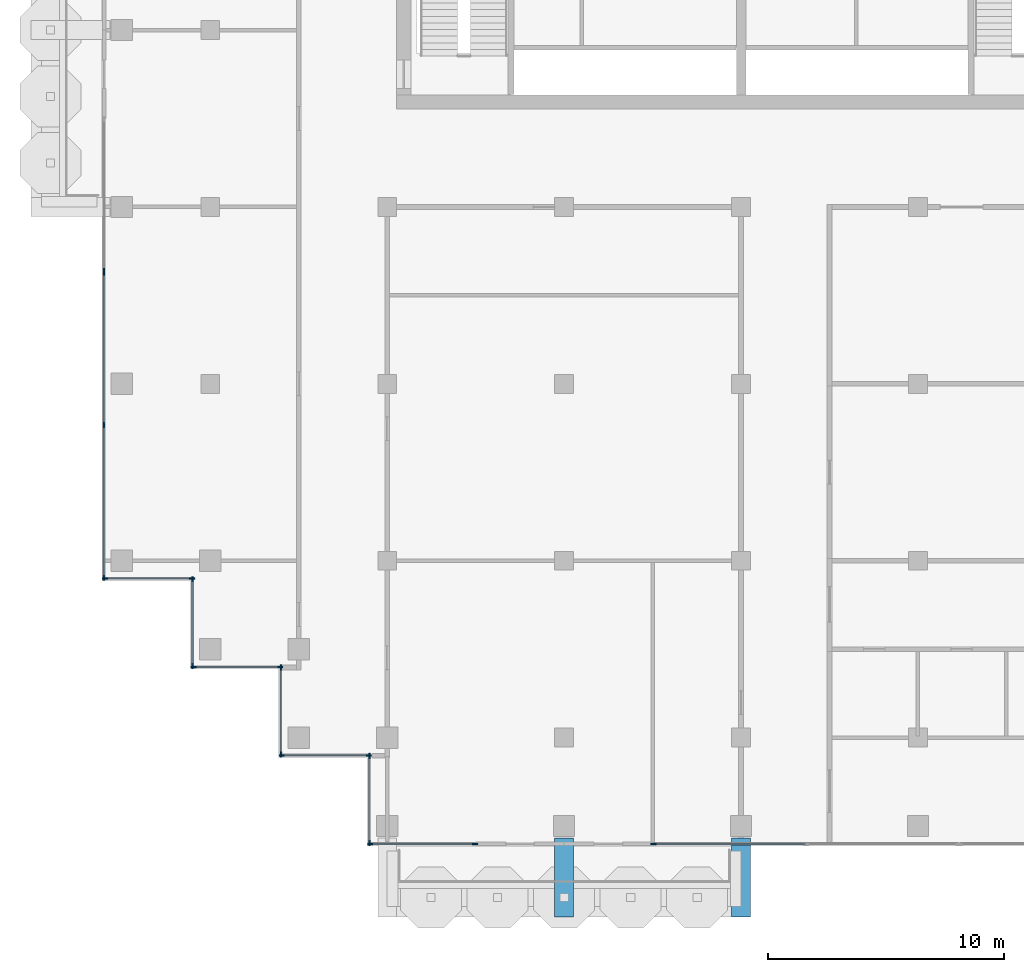
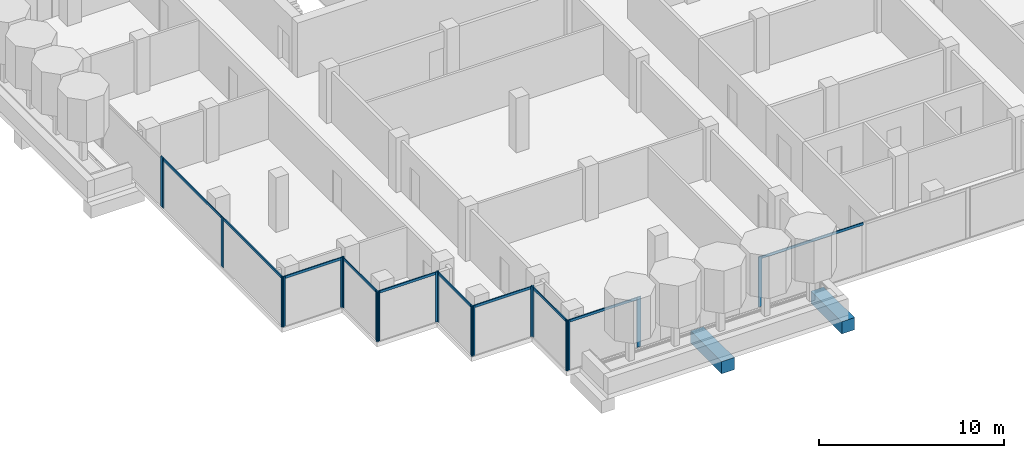
# One storey, part 2 of 18: 29 members, 2 beams, 10 elements without a shape of their own.
"""IFC4 building model written with IfcOpenShell, lengths in metres."""

import ifcopenshell
import ifcopenshell.guid

model = None  # the IFC model being written
_history = None  # IfcOwnerHistory: only IFC2X3 demands one
_inside = {}  # id of a spatial element -> (the spatial element, [elements in it])
_under = {}  # id of a project, library or spatial element -> (it, [spatial elements below it])
_declared = {}  # id of a project -> (the project, [libraries it declares])
_typed = {}  # id of a type object -> (the type object, [elements of that type])
_made_of = {}  # id of a material, layer set ... -> (it, [elements and type objects made of it])


def new_model(schema):
    """Start an empty IFC model of exactly this schema.

    Asked for "IFC4X3", IfcOpenShell would pick the latest addendum, in which some entities
    have other attributes; the version numbers below select the first issue.
    IFC2X3 requires an IfcOwnerHistory on every rooted entity: one is made here for all.
    """
    global model, _history
    if schema == "IFC4X3":
        model = ifcopenshell.file(schema_version=(4, 3, 0, 0))
    else:
        model = ifcopenshell.file(schema=schema)
    _inside.clear()
    _under.clear()
    _declared.clear()
    _typed.clear()
    _made_of.clear()
    _history = None
    if model.schema == "IFC2X3":
        org = make("IfcOrganization", Name="unknown")
        user = make(
            "IfcPersonAndOrganization",
            ThePerson=make("IfcPerson", FamilyName="unknown"),
            TheOrganization=org,
        )
        app = make(
            "IfcApplication",
            ApplicationDeveloper=org,
            Version="unknown",
            ApplicationFullName="unknown",
            ApplicationIdentifier="unknown",
        )
        _history = make(
            "IfcOwnerHistory",
            OwningUser=user,
            OwningApplication=app,
            ChangeAction="ADDED",
            CreationDate=0,
        )
    return model


def make(cls, **values):
    """One entity of the class cls with the attributes given. An attribute that is None is left unset."""
    return model.create_entity(
        cls, **{name: value for name, value in values.items() if value is not None}
    )


def rooted(cls, **values):
    """An entity with a GlobalId (a new one), such as an element, a storey or a relation."""
    return make(cls, GlobalId=ifcopenshell.guid.new(), OwnerHistory=_history, **values)


def si_unit(unit_type, name, prefix=None):
    """IfcSIUnit, for example si_unit("LENGTHUNIT", "METRE", prefix="MILLI")."""
    return make("IfcSIUnit", UnitType=unit_type, Prefix=prefix, Name=name)


def assignment(units):
    """IfcUnitAssignment: the units of a project."""
    return None if units is None else make("IfcUnitAssignment", Units=units)


def point(xyz):
    """IfcCartesianPoint."""
    return None if xyz is None else make("IfcCartesianPoint", Coordinates=xyz)


def direction(xyz):
    """IfcDirection."""
    return None if xyz is None else make("IfcDirection", DirectionRatios=xyz)


def frame(location, z_axis=None, x_axis=None):
    """IfcAxis2Placement3D, a coordinate frame: its origin and axes. An axis left out is left unset."""
    return make(
        "IfcAxis2Placement3D",
        Location=point(location),
        Axis=direction(z_axis),
        RefDirection=direction(x_axis),
    )


def frame_2d(location, x_axis=None):
    """IfcAxis2Placement2D, a coordinate frame in the plane: its origin and x axis."""
    return make(
        "IfcAxis2Placement2D", Location=point(location), RefDirection=direction(x_axis)
    )


def origin():
    """The frame at (0, 0, 0) with its axes left unset."""
    return frame((0.0, 0.0, 0.0))


def origin_2d():
    """The frame at (0, 0) in the plane with its x axis left unset."""
    return frame_2d((0.0, 0.0))


def place(relative_to, where):
    """IfcLocalPlacement: puts the frame where relative to a parent placement (None: the world)."""
    return make(
        "IfcLocalPlacement", PlacementRelTo=relative_to, RelativePlacement=where
    )


def context(
    kind, dimensions, precision=None, world=None, true_north=None, identifier=None
):
    """IfcGeometricRepresentationContext, for example the 3D "Model" context."""
    return make(
        "IfcGeometricRepresentationContext",
        ContextIdentifier=identifier,
        ContextType=kind,
        CoordinateSpaceDimension=dimensions,
        Precision=precision,
        WorldCoordinateSystem=world,
        TrueNorth=true_north,
    )


def subcontext(parent, identifier, kind, view, scale=None):
    """IfcGeometricRepresentationSubContext, for example "Body" below "Model"."""
    return make(
        "IfcGeometricRepresentationSubContext",
        ContextIdentifier=identifier,
        ContextType=kind,
        ParentContext=parent,
        TargetScale=scale,
        TargetView=view,
    )


def project(units=None, contexts=None):
    """IfcProject with its units and contexts."""
    return rooted(
        "IfcProject",
        Name="project",
        RepresentationContexts=contexts,
        UnitsInContext=assignment(units),
    )


def spatial(cls, under=None, at=None, **own):
    """A site, building, storey or space (cls), placed at a placement, below another one or the project."""
    s = rooted(cls, ObjectPlacement=at, **own)
    if under is not None:
        _under.setdefault(under.id(), (under, []))[1].append(s)
    return s


def profile(cls, at=None, kind="AREA", **sizes):
    """A parametric profile (cls). Its sizes go by their IFC names, for example OverallWidth=200.0."""
    return make(cls, ProfileType=kind, Position=at, **sizes)


def rectangle(**sizes):
    """IfcRectangleProfileDef."""
    return profile("IfcRectangleProfileDef", **sizes)


def extrude(swept, where, along, depth):
    """IfcExtrudedAreaSolid: the profile swept, set in the frame where, extruded along a direction by depth."""
    return make(
        "IfcExtrudedAreaSolid",
        SweptArea=swept,
        Position=where,
        ExtrudedDirection=direction(along),
        Depth=depth,
    )


def shape(context_of_items, identifier, shape_type, items):
    """IfcShapeRepresentation: the items that make up one representation, for example the "Body"."""
    return make(
        "IfcShapeRepresentation",
        ContextOfItems=context_of_items,
        RepresentationIdentifier=identifier,
        RepresentationType=shape_type,
        Items=items,
    )


def material(Name=None, Category=None):
    """IfcMaterial."""
    return make("IfcMaterial", Name=Name, Category=Category)


def material_profile(
    of_material, cross_section, Name=None, Category=None, Priority=None
):
    """IfcMaterialProfile: a cross section and its material."""
    return make(
        "IfcMaterialProfile",
        Name=Name,
        Material=of_material,
        Profile=cross_section,
        Priority=Priority,
        Category=Category,
    )


def profile_set(profiles, Name=None, composite=None):
    """IfcMaterialProfileSet."""
    return make(
        "IfcMaterialProfileSet",
        Name=Name,
        MaterialProfiles=profiles,
        CompositeProfile=composite,
    )


def made_of(thing, what):
    """Note that an element or type object is made of a material, layer set ...; save() writes the relation."""
    if what is not None:
        _made_of.setdefault(what.id(), (what, []))[1].append(thing)
    return thing


def type_object(cls, material=None, **own):
    """A type object (cls), such as IfcWallType, which elements share."""
    return made_of(rooted(cls, **own), material)


def element(
    cls,
    number,
    at=None,
    inside=None,
    cuts=None,
    type_object=None,
    material=None,
    context=None,
    identifier="Body",
    shape_type=None,
    held_by="IfcProductDefinitionShape",
    body=None,
    shapes=None,
    **own,
):
    """One element of the class cls, such as IfcWall. Its Tag is "e" and its number.

    at: its placement. inside: the storey or other place that contains it. cuts: it is an
    opening in that element (IfcRelVoidsElement). A single representation is given by context,
    identifier, shape_type and body (its items); several are given by shapes. held_by: the class
    of the entity that holds the representations. save() writes the other relations.
    """
    e = rooted(cls, Tag="e%d" % number, ObjectPlacement=at, **own)
    if body is not None:
        shapes = [shape(context, identifier, shape_type, body)]
    if shapes is not None:
        e.Representation = make(held_by, Representations=shapes)
    if inside is not None:
        _inside.setdefault(inside.id(), (inside, []))[1].append(e)
    if cuts is not None:
        rooted(
            "IfcRelVoidsElement", RelatingBuildingElement=cuts, RelatedOpeningElement=e
        )
    if type_object is not None:
        _typed.setdefault(type_object.id(), (type_object, []))[1].append(e)
    return made_of(e, material)


def aggregate(whole, parts):
    """IfcRelAggregates: a whole, such as a stair, and the parts it consists of."""
    return rooted("IfcRelAggregates", RelatingObject=whole, RelatedObjects=parts)


def save(model, path):
    """Write the relations noted so far, then the file.

    IfcRelAggregates (storeys below a building ...), IfcRelContainedInSpatialStructure (elements
    in a storey), IfcRelDefinesByType, IfcRelAssociatesMaterial and IfcRelDeclares: one each for
    every whole, place, type object, material and project.
    """
    for whole, parts in _under.values():
        aggregate(whole, parts)
    for where, things in _inside.values():
        rooted(
            "IfcRelContainedInSpatialStructure",
            RelatedElements=things,
            RelatingStructure=where,
        )
    for kind, things in _typed.values():
        rooted("IfcRelDefinesByType", RelatedObjects=things, RelatingType=kind)
    for what, things in _made_of.values():
        rooted("IfcRelAssociatesMaterial", RelatedObjects=things, RelatingMaterial=what)
    for by, libraries in _declared.values():
        rooted("IfcRelDeclares", RelatingContext=by, RelatedDefinitions=libraries)
    model.write(path)


model = new_model("IFC4")

# Units and contexts
model_context = context("Model", 3, precision=1e-05, world=origin(), true_north=direction((0.0, 1.0)))
body_context = subcontext(model_context, "Body", "Model", "MODEL_VIEW")
ifc_project = project(units=[si_unit("LENGTHUNIT", "METRE"), si_unit("AREAUNIT", "SQUARE_METRE"), si_unit("VOLUMEUNIT", "CUBIC_METRE"), si_unit("PLANEANGLEUNIT", "RADIAN"), si_unit("MASSUNIT", "GRAM", prefix="KILO")], contexts=[model_context])

# Site, building, storey
site_placement = place(None, origin())
site = spatial("IfcSite", under=ifc_project, at=site_placement, CompositionType="ELEMENT")
building_placement = place(site_placement, origin())
building = spatial("IfcBuilding", under=site, at=building_placement, Name="Pilkhan Gate Tower", CompositionType="ELEMENT")
storey_placement = place(building_placement, frame((0.0, 0.0, 228.300048828125)))
storey = spatial("IfcBuildingStorey", under=building, at=storey_placement, Name="L59", CompositionType="ELEMENT", Elevation=228.300048828125)

# Beams
ifc_material_1 = material(Name="Concrete C50/60", Category="concrete")
ifc_material_profile_1 = material_profile(ifc_material_1, rectangle(XDim=0.800048828125, YDim=0.800048828125, at=origin_2d()), Name="RC 800x800")
ifc_profile_set_1 = profile_set([ifc_material_profile_1], Name="Concrete C50/60")
beam_type = type_object("IfcBeamType", Name="Cantilever beam CB2 RC 800x800 C50/60", PredefinedType="BEAM", material=ifc_profile_set_1)
for number, where, z_axis, x_axis, name in (
    (1, (67.5, 40.75, -0.699951171875), (0.0, -1.0, 0.0), (1.0, 0.0, 0.0), "Balcony beam S.2 L59"),
    (2, (75.0, 40.75, -0.699951171875), (0.0, -1.0, 0.0), (1.0, 0.0, 0.0), "Balcony beam S.3 L59"),
):
    element("IfcBeam", number, at=place(storey_placement, frame(where, z_axis=z_axis, x_axis=x_axis)), inside=storey, type_object=beam_type, Name=name, PredefinedType="BEAM", context=body_context, shape_type="SweptSolid", body=[
        extrude(rectangle(XDim=0.800048828125, YDim=0.800048828125, at=origin_2d()), origin(), (0.0, 0.0, 1.0), 3.35009765625),
    ])

# Curtain wall, members
ifc_material_2 = material(Name="Pale anodised aluminium, clear low-iron double glazing", Category="aluminium")
curtain_wall_type = type_object("IfcCurtainWallType", Name="Office unitised curtain wall CW-O2", PredefinedType="USERDEFINED", material=ifc_material_2)
curtain_wall_1_placement = place(storey_placement, origin())
curtain_wall_1 = element("IfcCurtainWall", 3, at=curtain_wall_1_placement, inside=storey, type_object=curtain_wall_type, Name="Office unitised curtain wall CW-O2 L59 W", ObjectType="UNITISED CURTAIN WALL", PredefinedType="USERDEFINED")
ifc_material_3 = material(Name="Pale anodised aluminium", Category="aluminium")
ifc_material_profile_2 = material_profile(ifc_material_3, rectangle(XDim=0.06494140625, YDim=0.22509765625, at=origin_2d()), Name="Mullion 225x65")
ifc_profile_set_2 = profile_set([ifc_material_profile_2], Name="Pale anodised aluminium")
member_type_1 = type_object("IfcMemberType", Name="Mullion CW-O2 225x65", PredefinedType="MULLION", material=ifc_profile_set_2)
member_1_placement = place(storey_placement, frame((48.0, 51.782470703125, 0.0), z_axis=(0.0, 0.0, 1.0), x_axis=(-1.0, 0.0, 0.0)))
member_1 = element("IfcMember", 4, at=member_1_placement, type_object=member_type_1, Name="CW-O2 mullion 1", PredefinedType="MULLION", context=body_context, shape_type="SweptSolid", body=[
    extrude(rectangle(XDim=0.06494140625, YDim=0.22509765625, at=origin_2d()), origin(), (0.0, 0.0, 1.0), 3.300048828125),
])
member_2_placement = place(storey_placement, frame((48.0, 58.25, 0.0), z_axis=(0.0, 0.0, 1.0), x_axis=(-1.0, 0.0, 0.0)))
member_2 = element("IfcMember", 5, at=member_2_placement, type_object=member_type_1, Name="CW-O2 mullion 2", PredefinedType="MULLION", context=body_context, shape_type="SweptSolid", body=[
    extrude(rectangle(XDim=0.06494140625, YDim=0.22509765625, at=origin_2d()), origin(), (0.0, 0.0, 1.0), 3.300048828125),
])
member_3_placement = place(storey_placement, frame((48.0, 64.717529296875, 0.0), z_axis=(0.0, 0.0, 1.0), x_axis=(-1.0, 0.0, 0.0)))
member_3 = element("IfcMember", 6, at=member_3_placement, type_object=member_type_1, Name="CW-O2 mullion 3", PredefinedType="MULLION", context=body_context, shape_type="SweptSolid", body=[
    extrude(rectangle(XDim=0.06494140625, YDim=0.22509765625, at=origin_2d()), origin(), (0.0, 0.0, 1.0), 3.300048828125),
])

# Curtain wall, member
curtain_wall_2_placement = place(storey_placement, origin())
curtain_wall_2 = element("IfcCurtainWall", 7, at=curtain_wall_2_placement, inside=storey, type_object=curtain_wall_type, Name="Office unitised curtain wall CW-O2 L59 W", ObjectType="UNITISED CURTAIN WALL", PredefinedType="USERDEFINED")
member_4_placement = place(storey_placement, frame((48.0, 64.782470703125, 0.0), z_axis=(0.0, 0.0, 1.0), x_axis=(-1.0, 0.0, 0.0)))
member_4 = element("IfcMember", 8, at=member_4_placement, type_object=member_type_1, Name="CW-O2 mullion 1", PredefinedType="MULLION", context=body_context, shape_type="SweptSolid", body=[
    extrude(rectangle(XDim=0.06494140625, YDim=0.22509765625, at=origin_2d()), origin(), (0.0, 0.0, 1.0), 3.300048828125),
])
aggregate(curtain_wall_2, [member_4])

# Curtain wall, members
curtain_wall_3_placement = place(storey_placement, origin())
curtain_wall_3 = element("IfcCurtainWall", 9, at=curtain_wall_3_placement, inside=storey, type_object=curtain_wall_type, Name="Office unitised curtain wall CW-O2 L59 S", ObjectType="UNITISED CURTAIN WALL", PredefinedType="USERDEFINED")
member_5_placement = place(storey_placement, frame((48.032470703125, 51.75, 0.0), z_axis=(0.0, 0.0, 1.0), x_axis=(0.0, 1.0, 0.0)))
member_5 = element("IfcMember", 10, at=member_5_placement, type_object=member_type_1, Name="CW-O2 mullion 1", PredefinedType="MULLION", context=body_context, shape_type="SweptSolid", body=[
    extrude(rectangle(XDim=0.06494140625, YDim=0.22509765625, at=origin_2d()), origin(), (0.0, 0.0, 1.0), 3.300048828125),
])
member_6_placement = place(storey_placement, frame((51.717529296875, 51.75, 0.0), z_axis=(0.0, 0.0, 1.0), x_axis=(0.0, 1.0, 0.0)))
member_6 = element("IfcMember", 11, at=member_6_placement, type_object=member_type_1, Name="CW-O2 mullion 2", PredefinedType="MULLION", context=body_context, shape_type="SweptSolid", body=[
    extrude(rectangle(XDim=0.06494140625, YDim=0.22509765625, at=origin_2d()), origin(), (0.0, 0.0, 1.0), 3.300048828125),
])

curtain_wall_4_placement = place(storey_placement, origin())
curtain_wall_4 = element("IfcCurtainWall", 12, at=curtain_wall_4_placement, inside=storey, type_object=curtain_wall_type, Name="Office unitised curtain wall CW-O2 L59 W", ObjectType="UNITISED CURTAIN WALL", PredefinedType="USERDEFINED")
member_7_placement = place(storey_placement, frame((51.75, 48.032470703125, 0.0), z_axis=(0.0, 0.0, 1.0), x_axis=(-1.0, 0.0, 0.0)))
member_7 = element("IfcMember", 13, at=member_7_placement, type_object=member_type_1, Name="CW-O2 mullion 1", PredefinedType="MULLION", context=body_context, shape_type="SweptSolid", body=[
    extrude(rectangle(XDim=0.06494140625, YDim=0.22509765625, at=origin_2d()), origin(), (0.0, 0.0, 1.0), 3.300048828125),
])
member_8_placement = place(storey_placement, frame((51.75, 51.717529296875, 0.0), z_axis=(0.0, 0.0, 1.0), x_axis=(-1.0, 0.0, 0.0)))
member_8 = element("IfcMember", 14, at=member_8_placement, type_object=member_type_1, Name="CW-O2 mullion 2", PredefinedType="MULLION", context=body_context, shape_type="SweptSolid", body=[
    extrude(rectangle(XDim=0.06494140625, YDim=0.22509765625, at=origin_2d()), origin(), (0.0, 0.0, 1.0), 3.300048828125),
])

curtain_wall_5_placement = place(storey_placement, origin())
curtain_wall_5 = element("IfcCurtainWall", 15, at=curtain_wall_5_placement, inside=storey, type_object=curtain_wall_type, Name="Office unitised curtain wall CW-O2 L59 S", ObjectType="UNITISED CURTAIN WALL", PredefinedType="USERDEFINED")
member_9_placement = place(storey_placement, frame((51.782470703125, 48.0, 0.0), z_axis=(0.0, 0.0, 1.0), x_axis=(0.0, 1.0, 0.0)))
member_9 = element("IfcMember", 16, at=member_9_placement, type_object=member_type_1, Name="CW-O2 mullion 1", PredefinedType="MULLION", context=body_context, shape_type="SweptSolid", body=[
    extrude(rectangle(XDim=0.06494140625, YDim=0.22509765625, at=origin_2d()), origin(), (0.0, 0.0, 1.0), 3.300048828125),
])
member_10_placement = place(storey_placement, frame((55.467529296875, 48.0, 0.0), z_axis=(0.0, 0.0, 1.0), x_axis=(0.0, 1.0, 0.0)))
member_10 = element("IfcMember", 17, at=member_10_placement, type_object=member_type_1, Name="CW-O2 mullion 2", PredefinedType="MULLION", context=body_context, shape_type="SweptSolid", body=[
    extrude(rectangle(XDim=0.06494140625, YDim=0.22509765625, at=origin_2d()), origin(), (0.0, 0.0, 1.0), 3.300048828125),
])

curtain_wall_6_placement = place(storey_placement, origin())
curtain_wall_6 = element("IfcCurtainWall", 18, at=curtain_wall_6_placement, inside=storey, type_object=curtain_wall_type, Name="Office unitised curtain wall CW-O2 L59 W", ObjectType="UNITISED CURTAIN WALL", PredefinedType="USERDEFINED")
member_11_placement = place(storey_placement, frame((55.5, 44.282470703125, 0.0), z_axis=(0.0, 0.0, 1.0), x_axis=(-1.0, 0.0, 0.0)))
member_11 = element("IfcMember", 19, at=member_11_placement, type_object=member_type_1, Name="CW-O2 mullion 1", PredefinedType="MULLION", context=body_context, shape_type="SweptSolid", body=[
    extrude(rectangle(XDim=0.06494140625, YDim=0.22509765625, at=origin_2d()), origin(), (0.0, 0.0, 1.0), 3.300048828125),
])
member_12_placement = place(storey_placement, frame((55.5, 47.967529296875, 0.0), z_axis=(0.0, 0.0, 1.0), x_axis=(-1.0, 0.0, 0.0)))
member_12 = element("IfcMember", 20, at=member_12_placement, type_object=member_type_1, Name="CW-O2 mullion 2", PredefinedType="MULLION", context=body_context, shape_type="SweptSolid", body=[
    extrude(rectangle(XDim=0.06494140625, YDim=0.22509765625, at=origin_2d()), origin(), (0.0, 0.0, 1.0), 3.300048828125),
])

curtain_wall_7_placement = place(storey_placement, origin())
curtain_wall_7 = element("IfcCurtainWall", 21, at=curtain_wall_7_placement, inside=storey, type_object=curtain_wall_type, Name="Office unitised curtain wall CW-O2 L59 S", ObjectType="UNITISED CURTAIN WALL", PredefinedType="USERDEFINED")
member_13_placement = place(storey_placement, frame((55.532470703125, 44.25, 0.0), z_axis=(0.0, 0.0, 1.0), x_axis=(0.0, 1.0, 0.0)))
member_13 = element("IfcMember", 22, at=member_13_placement, type_object=member_type_1, Name="CW-O2 mullion 1", PredefinedType="MULLION", context=body_context, shape_type="SweptSolid", body=[
    extrude(rectangle(XDim=0.06494140625, YDim=0.22509765625, at=origin_2d()), origin(), (0.0, 0.0, 1.0), 3.300048828125),
])
member_14_placement = place(storey_placement, frame((59.217529296875, 44.25, 0.0), z_axis=(0.0, 0.0, 1.0), x_axis=(0.0, 1.0, 0.0)))
member_14 = element("IfcMember", 23, at=member_14_placement, type_object=member_type_1, Name="CW-O2 mullion 2", PredefinedType="MULLION", context=body_context, shape_type="SweptSolid", body=[
    extrude(rectangle(XDim=0.06494140625, YDim=0.22509765625, at=origin_2d()), origin(), (0.0, 0.0, 1.0), 3.300048828125),
])

curtain_wall_8_placement = place(storey_placement, origin())
curtain_wall_8 = element("IfcCurtainWall", 24, at=curtain_wall_8_placement, inside=storey, type_object=curtain_wall_type, Name="Office unitised curtain wall CW-O2 L59 W", ObjectType="UNITISED CURTAIN WALL", PredefinedType="USERDEFINED")
member_15_placement = place(storey_placement, frame((59.25, 40.532470703125, 0.0), z_axis=(0.0, 0.0, 1.0), x_axis=(-1.0, 0.0, 0.0)))
member_15 = element("IfcMember", 25, at=member_15_placement, type_object=member_type_1, Name="CW-O2 mullion 1", PredefinedType="MULLION", context=body_context, shape_type="SweptSolid", body=[
    extrude(rectangle(XDim=0.06494140625, YDim=0.22509765625, at=origin_2d()), origin(), (0.0, 0.0, 1.0), 3.300048828125),
])
member_16_placement = place(storey_placement, frame((59.25, 44.217529296875, 0.0), z_axis=(0.0, 0.0, 1.0), x_axis=(-1.0, 0.0, 0.0)))
member_16 = element("IfcMember", 26, at=member_16_placement, type_object=member_type_1, Name="CW-O2 mullion 2", PredefinedType="MULLION", context=body_context, shape_type="SweptSolid", body=[
    extrude(rectangle(XDim=0.06494140625, YDim=0.22509765625, at=origin_2d()), origin(), (0.0, 0.0, 1.0), 3.300048828125),
])

curtain_wall_9_placement = place(storey_placement, origin())
curtain_wall_9 = element("IfcCurtainWall", 27, at=curtain_wall_9_placement, inside=storey, type_object=curtain_wall_type, Name="Office unitised curtain wall CW-O2 L59 S", ObjectType="UNITISED CURTAIN WALL", PredefinedType="USERDEFINED")
member_17_placement = place(storey_placement, frame((59.282470703125, 40.5, 0.0), z_axis=(0.0, 0.0, 1.0), x_axis=(0.0, 1.0, 0.0)))
member_17 = element("IfcMember", 28, at=member_17_placement, type_object=member_type_1, Name="CW-O2 mullion 1", PredefinedType="MULLION", context=body_context, shape_type="SweptSolid", body=[
    extrude(rectangle(XDim=0.06494140625, YDim=0.22509765625, at=origin_2d()), origin(), (0.0, 0.0, 1.0), 3.300048828125),
])
member_18_placement = place(storey_placement, frame((63.717529296875, 40.5, 0.0), z_axis=(0.0, 0.0, 1.0), x_axis=(0.0, 1.0, 0.0)))
member_18 = element("IfcMember", 29, at=member_18_placement, type_object=member_type_1, Name="CW-O2 mullion 2", PredefinedType="MULLION", context=body_context, shape_type="SweptSolid", body=[
    extrude(rectangle(XDim=0.06494140625, YDim=0.22509765625, at=origin_2d()), origin(), (0.0, 0.0, 1.0), 3.300048828125),
])

# Curtain wall, member
curtain_wall_10_placement = place(storey_placement, origin())
curtain_wall_10 = element("IfcCurtainWall", 30, at=curtain_wall_10_placement, inside=storey, type_object=curtain_wall_type, Name="Office unitised curtain wall CW-O2 L59 S", ObjectType="UNITISED CURTAIN WALL", PredefinedType="USERDEFINED")
member_19_placement = place(storey_placement, frame((71.282470703125, 40.5, 0.0), z_axis=(0.0, 0.0, 1.0), x_axis=(0.0, 1.0, 0.0)))
member_19 = element("IfcMember", 31, at=member_19_placement, type_object=member_type_1, Name="CW-O2 mullion 1", PredefinedType="MULLION", context=body_context, shape_type="SweptSolid", body=[
    extrude(rectangle(XDim=0.06494140625, YDim=0.22509765625, at=origin_2d()), origin(), (0.0, 0.0, 1.0), 3.300048828125),
])

# Member
ifc_material_profile_3 = material_profile(ifc_material_3, rectangle(XDim=0.06494140625, YDim=0.1650390625, at=origin_2d()), Name="Transom 165x65")
ifc_profile_set_3 = profile_set([ifc_material_profile_3], Name="Pale anodised aluminium")
member_type_2 = type_object("IfcMemberType", Name="Transom CW-O2 165x65", PredefinedType="USERDEFINED", material=ifc_profile_set_3)
member_20_placement = place(storey_placement, frame((48.0, 51.81494140625, 3.217529296875), z_axis=(0.0, 1.0, 0.0), x_axis=(-1.0, 0.0, 0.0)))
member_20 = element("IfcMember", 32, at=member_20_placement, type_object=member_type_2, Name="CW-O2 transom 1", ObjectType="TRANSOM", PredefinedType="USERDEFINED", context=body_context, shape_type="SweptSolid", body=[
    extrude(rectangle(XDim=0.06494140625, YDim=0.1650390625, at=origin_2d()), origin(), (0.0, 0.0, 1.0), 6.402587890625),
])

member_21_placement = place(storey_placement, frame((48.0, 58.282470703125, 3.217529296875), z_axis=(0.0, 1.0, 0.0), x_axis=(-1.0, 0.0, 0.0)))
member_21 = element("IfcMember", 33, at=member_21_placement, type_object=member_type_2, Name="CW-O2 transom 2", ObjectType="TRANSOM", PredefinedType="USERDEFINED", context=body_context, shape_type="SweptSolid", body=[
    extrude(rectangle(XDim=0.06494140625, YDim=0.1650390625, at=origin_2d()), origin(), (0.0, 0.0, 1.0), 6.402587890625),
])

aggregate(curtain_wall_1, [member_1, member_2, member_3, member_20, member_21])

member_22_placement = place(storey_placement, frame((48.06494140625, 51.75, 3.217529296875), z_axis=(1.0, 0.0, 0.0), x_axis=(0.0, 1.0, 0.0)))
member_22 = element("IfcMember", 34, at=member_22_placement, type_object=member_type_2, Name="CW-O2 transom 1", ObjectType="TRANSOM", PredefinedType="USERDEFINED", context=body_context, shape_type="SweptSolid", body=[
    extrude(rectangle(XDim=0.06494140625, YDim=0.1650390625, at=origin_2d()), origin(), (0.0, 0.0, 1.0), 3.6201171875),
])

aggregate(curtain_wall_3, [member_5, member_6, member_22])

member_23_placement = place(storey_placement, frame((51.75, 48.06494140625, 3.217529296875), z_axis=(0.0, 1.0, 0.0), x_axis=(-1.0, 0.0, 0.0)))
member_23 = element("IfcMember", 35, at=member_23_placement, type_object=member_type_2, Name="CW-O2 transom 1", ObjectType="TRANSOM", PredefinedType="USERDEFINED", context=body_context, shape_type="SweptSolid", body=[
    extrude(rectangle(XDim=0.06494140625, YDim=0.1650390625, at=origin_2d()), origin(), (0.0, 0.0, 1.0), 3.6201171875),
])

aggregate(curtain_wall_4, [member_7, member_8, member_23])

member_24_placement = place(storey_placement, frame((51.81494140625, 48.0, 3.217529296875), z_axis=(1.0, 0.0, 0.0), x_axis=(0.0, 1.0, 0.0)))
member_24 = element("IfcMember", 36, at=member_24_placement, type_object=member_type_2, Name="CW-O2 transom 1", ObjectType="TRANSOM", PredefinedType="USERDEFINED", context=body_context, shape_type="SweptSolid", body=[
    extrude(rectangle(XDim=0.06494140625, YDim=0.1650390625, at=origin_2d()), origin(), (0.0, 0.0, 1.0), 3.6201171875),
])

aggregate(curtain_wall_5, [member_9, member_10, member_24])

member_25_placement = place(storey_placement, frame((55.5, 44.31494140625, 3.217529296875), z_axis=(0.0, 1.0, 0.0), x_axis=(-1.0, 0.0, 0.0)))
member_25 = element("IfcMember", 37, at=member_25_placement, type_object=member_type_2, Name="CW-O2 transom 1", ObjectType="TRANSOM", PredefinedType="USERDEFINED", context=body_context, shape_type="SweptSolid", body=[
    extrude(rectangle(XDim=0.06494140625, YDim=0.1650390625, at=origin_2d()), origin(), (0.0, 0.0, 1.0), 3.6201171875),
])

aggregate(curtain_wall_6, [member_11, member_12, member_25])

member_26_placement = place(storey_placement, frame((55.56494140625, 44.25, 3.217529296875), z_axis=(1.0, 0.0, 0.0), x_axis=(0.0, 1.0, 0.0)))
member_26 = element("IfcMember", 38, at=member_26_placement, type_object=member_type_2, Name="CW-O2 transom 1", ObjectType="TRANSOM", PredefinedType="USERDEFINED", context=body_context, shape_type="SweptSolid", body=[
    extrude(rectangle(XDim=0.06494140625, YDim=0.1650390625, at=origin_2d()), origin(), (0.0, 0.0, 1.0), 3.6201171875),
])

aggregate(curtain_wall_7, [member_13, member_14, member_26])

member_27_placement = place(storey_placement, frame((59.25, 40.56494140625, 3.217529296875), z_axis=(0.0, 1.0, 0.0), x_axis=(-1.0, 0.0, 0.0)))
member_27 = element("IfcMember", 39, at=member_27_placement, type_object=member_type_2, Name="CW-O2 transom 1", ObjectType="TRANSOM", PredefinedType="USERDEFINED", context=body_context, shape_type="SweptSolid", body=[
    extrude(rectangle(XDim=0.06494140625, YDim=0.1650390625, at=origin_2d()), origin(), (0.0, 0.0, 1.0), 3.6201171875),
])

aggregate(curtain_wall_8, [member_15, member_16, member_27])

member_28_placement = place(storey_placement, frame((59.31494140625, 40.5, 3.217529296875), z_axis=(1.0, 0.0, 0.0), x_axis=(0.0, 1.0, 0.0)))
member_28 = element("IfcMember", 40, at=member_28_placement, type_object=member_type_2, Name="CW-O2 transom 1", ObjectType="TRANSOM", PredefinedType="USERDEFINED", context=body_context, shape_type="SweptSolid", body=[
    extrude(rectangle(XDim=0.06494140625, YDim=0.1650390625, at=origin_2d()), origin(), (0.0, 0.0, 1.0), 4.3701171875),
])

aggregate(curtain_wall_9, [member_17, member_18, member_28])

member_29_placement = place(storey_placement, frame((71.31494140625, 40.5, 3.217529296875), z_axis=(1.0, 0.0, 0.0), x_axis=(0.0, 1.0, 0.0)))
member_29 = element("IfcMember", 41, at=member_29_placement, type_object=member_type_2, Name="CW-O2 transom 1", ObjectType="TRANSOM", PredefinedType="USERDEFINED", context=body_context, shape_type="SweptSolid", body=[
    extrude(rectangle(XDim=0.06494140625, YDim=0.1650390625, at=origin_2d()), origin(), (0.0, 0.0, 1.0), 6.402587890625),
])

aggregate(curtain_wall_10, [member_19, member_29])

save(model, "model.ifc")
